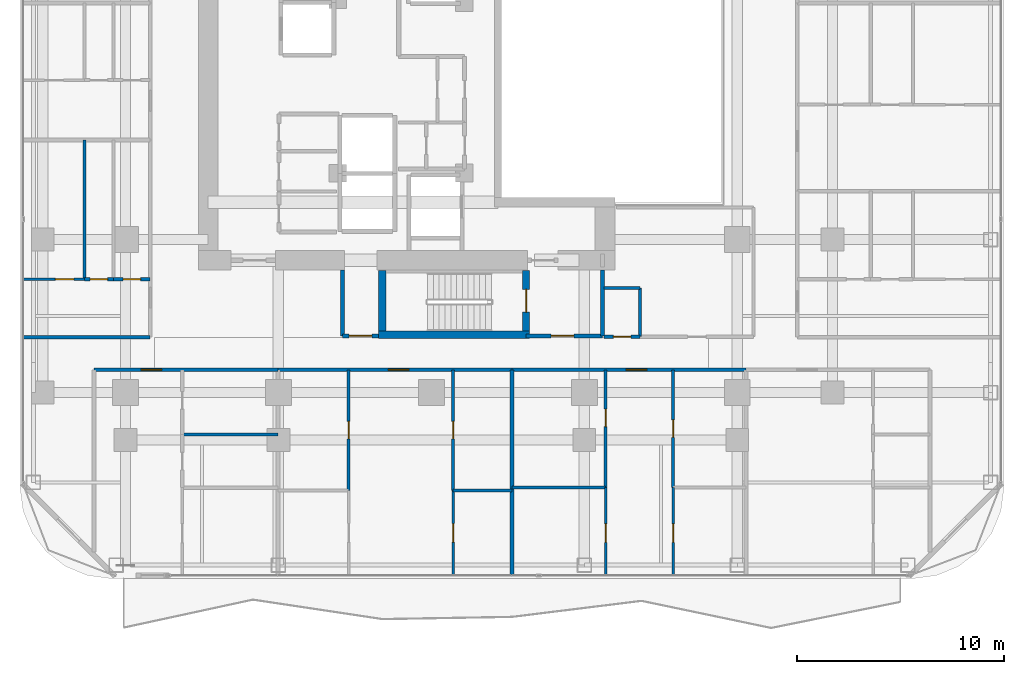
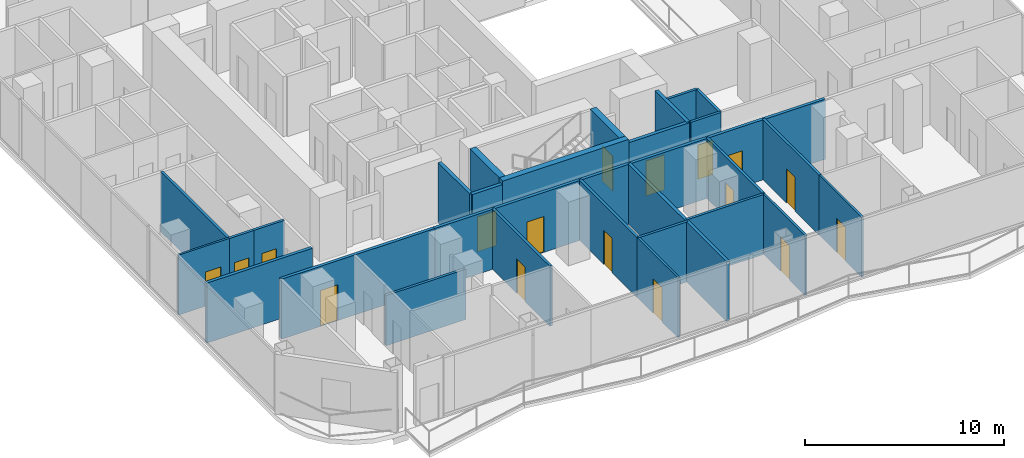
# One storey, part 21 of 29: 29 walls, 17 doors, 17 openings.
"""IFC4 building model written with IfcOpenShell, lengths in metres."""

from ifc_helpers import new_model, si_unit, direction, frame, frame_2d, origin, place, context, subcontext, project, spatial, rectangle, extrude, material, layer, layer_set, type_object, element, fill, save


model = new_model("IFC4")

# Units and contexts
model_context = context("Model", 3, precision=1e-05, world=origin(), true_north=direction((0.0, 1.0)))
body_context = subcontext(model_context, "Body", "Model", "MODEL_VIEW")
ifc_project = project(units=[si_unit("LENGTHUNIT", "METRE"), si_unit("AREAUNIT", "SQUARE_METRE"), si_unit("VOLUMEUNIT", "CUBIC_METRE"), si_unit("PLANEANGLEUNIT", "RADIAN"), si_unit("MASSUNIT", "GRAM", prefix="KILO")], contexts=[model_context])

# Site, building, storey
site_placement = place(None, origin())
site = spatial("IfcSite", under=ifc_project, at=site_placement, CompositionType="ELEMENT")
building_placement = place(site_placement, origin())
building = spatial("IfcBuilding", under=site, at=building_placement, Name="Khorvyn Point Tower", CompositionType="ELEMENT")
storey_placement = place(building_placement, frame((0.0, 0.0, 136.800048828125)))
storey = spatial("IfcBuildingStorey", under=building, at=storey_placement, Name="L34", CompositionType="ELEMENT", Elevation=136.800048828125)

# Wall, opening, door
ifc_material_1 = material(Name="Double acoustic gypsum on twin steel stud", Category="steel")
ifc_layer_1 = layer(ifc_material_1, 0.179931640625)
ifc_layer_set_1 = layer_set([ifc_layer_1], Name="Acoustic Double-Stud Apartment Demising Wall 180")
wall_type_1 = type_object("IfcWallType", Name="Acoustic Double-Stud Apartment Demising Wall 180", PredefinedType="PARTITIONING", material=ifc_layer_set_1)
wall_1_placement = place(storey_placement, frame((-16.320068359375, -13.699951171875, 0.0), z_axis=(0.0, 0.0, 1.0), x_axis=(1.0, 0.0, 0.0)))
wall_1 = element("IfcWall", 1, at=wall_1_placement, inside=storey, type_object=wall_type_1, Name="Wall", PredefinedType="PARTITIONING", context=body_context, shape_type="SweptSolid", body=[
    extrude(rectangle(XDim=8.89697265625, YDim=0.179931640625, at=frame_2d((4.448486328125, 0.0))), origin(), (0.0, 0.0, 1.0), 3.679931640625),
])
opening_1_placement = place(wall_1_placement, frame((2.2744140625, 0.0, 0.0)))
opening_1 = element("IfcOpeningElement", 2, at=opening_1_placement, cuts=wall_1, Name="Opening ID-AP60", PredefinedType="OPENING", context=body_context, shape_type="SweptSolid", body=[
    extrude(rectangle(XDim=1.0, YDim=2.199951171875, at=frame_2d((0.5, 1.10009765625))), frame((0.0, 0.099853515625, 0.0), z_axis=(0.0, -1.0, 0.0), x_axis=(1.0, 0.0, 0.0)), (0.0, 0.0, 1.0), 0.199951171875),
])
ifc_material_2 = material(Name="Engineered hardwood fire-rated leaf", Category="wood")
door_type_1 = type_object("IfcDoorType", Name="Acoustic Solid-Core Timber Apartment Entrance Door 1000x2200", OperationType="NOTDEFINED", PredefinedType="DOOR", material=ifc_material_2)
door_1_placement = place(opening_1_placement, origin())
door_1 = element("IfcDoor", 3, at=door_1_placement, inside=storey, type_object=door_type_1, Name="Door", OperationType="SINGLE_SWING_LEFT", OverallHeight=2.199951171875, OverallWidth=1.0, PredefinedType="DOOR", context=body_context, shape_type="SweptSolid", body=[
    extrude(rectangle(XDim=1.0, YDim=2.199951171875, at=frame_2d((0.5, 1.10009765625))), frame((0.0, 0.02490234375, 0.0), z_axis=(0.0, -1.0, 0.0), x_axis=(1.0, 0.0, 0.0)), (0.0, 0.0, 1.0), 0.050048828125),
])
fill(opening_1, door_1)

wall_2_placement = place(storey_placement, frame((-7.423095703125, -13.699951171875, 0.0), z_axis=(0.0, 0.0, 1.0), x_axis=(1.0, 0.0, 0.0)))
wall_2 = element("IfcWall", 4, at=wall_2_placement, inside=storey, type_object=wall_type_1, Name="Wall", PredefinedType="PARTITIONING", context=body_context, shape_type="SweptSolid", body=[
    extrude(rectangle(XDim=11.322998046875, YDim=0.179931640625, at=frame_2d((5.66162109375, 0.0))), origin(), (0.0, 0.0, 1.0), 3.679931640625),
])
opening_2_placement = place(wall_2_placement, frame((5.340087890625, 0.0, 0.0)))
opening_2 = element("IfcOpeningElement", 5, at=opening_2_placement, cuts=wall_2, Name="Opening ID-AP60", PredefinedType="OPENING", context=body_context, shape_type="SweptSolid", body=[
    extrude(rectangle(XDim=1.0, YDim=2.199951171875, at=frame_2d((0.5, 1.10009765625))), frame((0.0, 0.099853515625, 0.0), z_axis=(0.0, -1.0, 0.0), x_axis=(1.0, 0.0, 0.0)), (0.0, 0.0, 1.0), 0.199951171875),
])
door_2_placement = place(opening_2_placement, origin())
door_2 = element("IfcDoor", 6, at=door_2_placement, inside=storey, type_object=door_type_1, Name="Door", OperationType="SINGLE_SWING_LEFT", OverallHeight=2.199951171875, OverallWidth=1.0, PredefinedType="DOOR", context=body_context, shape_type="SweptSolid", body=[
    extrude(rectangle(XDim=1.0, YDim=2.199951171875, at=frame_2d((0.5, 1.10009765625))), frame((0.0, 0.02490234375, 0.0), z_axis=(0.0, -1.0, 0.0), x_axis=(1.0, 0.0, 0.0)), (0.0, 0.0, 1.0), 0.050048828125),
])
fill(opening_2, door_2)

wall_3_placement = place(storey_placement, frame((3.89990234375, -13.699951171875, 0.0), z_axis=(0.0, 0.0, 1.0), x_axis=(1.0, 0.0, 0.0)))
wall_3 = element("IfcWall", 7, at=wall_3_placement, inside=storey, type_object=wall_type_1, Name="Wall", PredefinedType="PARTITIONING", context=body_context, shape_type="SweptSolid", body=[
    extrude(rectangle(XDim=11.322998046875, YDim=0.179931640625, at=frame_2d((5.66162109375, 0.0))), origin(), (0.0, 0.0, 1.0), 3.679931640625),
])
opening_3_placement = place(wall_3_placement, frame((5.518798828125, 0.0, 0.0)))
opening_3 = element("IfcOpeningElement", 8, at=opening_3_placement, cuts=wall_3, Name="Opening ID-AP60", PredefinedType="OPENING", context=body_context, shape_type="SweptSolid", body=[
    extrude(rectangle(XDim=1.0, YDim=2.199951171875, at=frame_2d((0.5, 1.10009765625))), frame((0.0, 0.099853515625, 0.0), z_axis=(0.0, -1.0, 0.0), x_axis=(1.0, 0.0, 0.0)), (0.0, 0.0, 1.0), 0.199951171875),
])
door_3_placement = place(opening_3_placement, origin())
door_3 = element("IfcDoor", 9, at=door_3_placement, inside=storey, type_object=door_type_1, Name="Door", OperationType="SINGLE_SWING_RIGHT", OverallHeight=2.199951171875, OverallWidth=1.0, PredefinedType="DOOR", context=body_context, shape_type="SweptSolid", body=[
    extrude(rectangle(XDim=1.0, YDim=2.199951171875, at=frame_2d((0.5, 1.10009765625))), frame((0.0, 0.02490234375, 0.0), z_axis=(0.0, -1.0, 0.0), x_axis=(1.0, 0.0, 0.0)), (0.0, 0.0, 1.0), 0.050048828125),
])
fill(opening_3, door_3)

# Walls
wall_4_placement = place(storey_placement, frame((3.89990234375, -23.6298828125, 0.0), z_axis=(0.0, 0.0, 1.0), x_axis=(0.0, 1.0, 0.0)))
element("IfcWall", 10, at=wall_4_placement, inside=storey, type_object=wall_type_1, Name="Wall", PredefinedType="PARTITIONING", context=body_context, shape_type="SweptSolid", body=[
    extrude(rectangle(XDim=9.929931640625, YDim=0.179931640625, at=frame_2d((4.96484375, 0.0))), origin(), (0.0, 0.0, 1.0), 3.679931640625),
])
wall_5_placement = place(storey_placement, frame((-19.72998046875, -12.1201171875, 0.0), z_axis=(0.0, 0.0, 1.0), x_axis=(1.0, 0.0, 0.0)))
element("IfcWall", 11, at=wall_5_placement, inside=storey, type_object=wall_type_1, Name="Wall", PredefinedType="PARTITIONING", context=body_context, shape_type="SweptSolid", body=[
    extrude(rectangle(XDim=6.1298828125, YDim=0.179931640625, at=frame_2d((3.06494140625, 0.0))), origin(), (0.0, 0.0, 1.0), 3.679931640625),
])

# Wall, opening, door
ifc_material_3 = material(Name="Concrete C40/50", Category="concrete")
ifc_layer_2 = layer(ifc_material_3, 0.199951171875)
ifc_layer_set_2 = layer_set([ifc_layer_2], Name="Concrete C40/50 Fire-Lobby Compartment Wall 200")
wall_type_2 = type_object("IfcWallType", Name="Concrete C40/50 Fire-Lobby Compartment Wall 200", PredefinedType="SOLIDWALL", material=ifc_layer_set_2)
wall_6_placement = place(storey_placement, frame((4.580078125, -12.06005859375, 0.0), z_axis=(0.0, 0.0, 1.0), x_axis=(1.0, 0.0, 0.0)))
wall_6 = element("IfcWall", 12, at=wall_6_placement, inside=storey, type_object=wall_type_2, Name="Wall", PredefinedType="SOLIDWALL", context=body_context, shape_type="SweptSolid", body=[
    extrude(rectangle(XDim=3.699951171875, YDim=0.199951171875, at=frame_2d((1.85009765625, 0.0))), origin(), (0.0, 0.0, 1.0), 3.679931640625),
])
opening_4_placement = place(wall_6_placement, frame((1.21240234375, 0.0, 0.0)))
opening_4 = element("IfcOpeningElement", 13, at=opening_4_placement, cuts=wall_6, Name="Opening ID-FL90", PredefinedType="OPENING", context=body_context, shape_type="SweptSolid", body=[
    extrude(rectangle(XDim=1.10009765625, YDim=2.14990234375, at=frame_2d((0.550048828125, 1.074951171875))), frame((0.0, 0.10986328125, 0.0), z_axis=(0.0, -1.0, 0.0), x_axis=(1.0, 0.0, 0.0)), (0.0, 0.0, 1.0), 0.219970703125),
])
ifc_material_4 = material(Name="Galvanised powder-coated steel", Category="steel")
door_type_2 = type_object("IfcDoorType", Name="Fire-Rated Steel Lobby and Stair Door 1100x2150", OperationType="NOTDEFINED", PredefinedType="DOOR", material=ifc_material_4)
door_4_placement = place(opening_4_placement, origin())
door_4 = element("IfcDoor", 14, at=door_4_placement, inside=storey, type_object=door_type_2, Name="Door", OperationType="SINGLE_SWING_RIGHT", OverallHeight=2.14990234375, OverallWidth=1.10009765625, PredefinedType="DOOR", context=body_context, shape_type="SweptSolid", body=[
    extrude(rectangle(XDim=1.10009765625, YDim=2.14990234375, at=frame_2d((0.550048828125, 1.074951171875))), frame((0.0, 0.02490234375, 0.0), z_axis=(0.0, -1.0, 0.0), x_axis=(1.0, 0.0, 0.0)), (0.0, 0.0, 1.0), 0.050048828125),
])
fill(opening_4, door_4)

wall_7_placement = place(storey_placement, frame((-4.300048828125, -12.06005859375, 0.0), z_axis=(0.0, 0.0, 1.0), x_axis=(1.0, 0.0, 0.0)))
wall_7 = element("IfcWall", 15, at=wall_7_placement, inside=storey, type_object=wall_type_2, Name="Wall", PredefinedType="SOLIDWALL", context=body_context, shape_type="SweptSolid", body=[
    extrude(rectangle(XDim=1.75, YDim=0.199951171875, at=frame_2d((0.875, 0.0))), origin(), (0.0, 0.0, 1.0), 3.679931640625),
])
opening_5_placement = place(wall_7_placement, frame((0.324951171875, 0.0, 0.0)))
opening_5 = element("IfcOpeningElement", 16, at=opening_5_placement, cuts=wall_7, Name="Opening ID-FL90", PredefinedType="OPENING", context=body_context, shape_type="SweptSolid", body=[
    extrude(rectangle(XDim=1.10009765625, YDim=2.14990234375, at=frame_2d((0.550048828125, 1.074951171875))), frame((0.0, 0.10986328125, 0.0), z_axis=(0.0, -1.0, 0.0), x_axis=(1.0, 0.0, 0.0)), (0.0, 0.0, 1.0), 0.219970703125),
])
door_5_placement = place(opening_5_placement, origin())
door_5 = element("IfcDoor", 17, at=door_5_placement, inside=storey, type_object=door_type_2, Name="Door", OperationType="SINGLE_SWING_LEFT", OverallHeight=2.14990234375, OverallWidth=1.10009765625, PredefinedType="DOOR", context=body_context, shape_type="SweptSolid", body=[
    extrude(rectangle(XDim=1.10009765625, YDim=2.14990234375, at=frame_2d((0.550048828125, 1.074951171875))), frame((0.0, 0.02490234375, 0.0), z_axis=(0.0, -1.0, 0.0), x_axis=(1.0, 0.0, 0.0)), (0.0, 0.0, 1.0), 0.050048828125),
])
fill(opening_5, door_5)

# Walls
for number, where, z_axis, x_axis, name in (
    (18, (8.280029296875, -12.06005859375, 0.0), (0.0, 0.0, 1.0), (0.0, 1.0, 0.0), "Wall"),
    (19, (-4.300048828125, -12.06005859375, 0.0), (0.0, 0.0, 1.0), (0.0, 1.0, 0.0), "Wall"),
):
    element("IfcWall", number, at=place(storey_placement, frame(where, z_axis=z_axis, x_axis=x_axis)), inside=storey, type_object=wall_type_2, Name=name, PredefinedType="SOLIDWALL", context=body_context, shape_type="SweptSolid", body=[
        extrude(rectangle(XDim=3.18505859375, YDim=0.199951171875, at=frame_2d((1.592529296875, 0.0))), origin(), (0.0, 0.0, 1.0), 3.679931640625),
    ])
ifc_layer_3 = layer(ifc_material_3, 0.35009765625)
ifc_layer_set_3 = layer_set([ifc_layer_3], Name="Concrete C40/50 Stair Shaft Structural Wall 350")
wall_type_3 = type_object("IfcWallType", Name="Concrete C40/50 Stair Shaft Structural Wall 350", PredefinedType="SHEAR", material=ifc_layer_set_3)
wall_8_placement = place(storey_placement, frame((-2.554931640625, -12.0, 0.0), z_axis=(0.0, 0.0, 1.0), x_axis=(1.0, 0.0, 0.0)))
element("IfcWall", 20, at=wall_8_placement, inside=storey, type_object=wall_type_3, Name="L34 ST-01 South Shaft Wall", PredefinedType="SHEAR", context=body_context, shape_type="SweptSolid", body=[
    extrude(rectangle(XDim=7.309814453125, YDim=0.35009765625, at=frame_2d((3.65478515625, 0.0))), origin(), (0.0, 0.0, 1.0), 3.89990234375),
])
wall_9_placement = place(storey_placement, frame((-2.3798828125, -11.824951171875, 0.0), z_axis=(0.0, 0.0, 1.0), x_axis=(0.0, 1.0, 0.0)))
element("IfcWall", 21, at=wall_9_placement, inside=storey, type_object=wall_type_3, Name="L34 ST-01 West Shaft Wall", PredefinedType="SHEAR", context=body_context, shape_type="SweptSolid", body=[
    extrude(rectangle(XDim=2.925048828125, YDim=0.35009765625, at=frame_2d((1.46240234375, 0.0))), origin(), (0.0, 0.0, 1.0), 3.89990234375),
])

# Wall, opening, door
wall_10_placement = place(storey_placement, frame((4.580078125, -8.89990234375, 0.0), z_axis=(0.0, 0.0, 1.0), x_axis=(0.0, -1.0, 0.0)))
wall_10 = element("IfcWall", 22, at=wall_10_placement, inside=storey, type_object=wall_type_3, Name="L34 ST-01 East Landing Door Wall", PredefinedType="SHEAR", context=body_context, shape_type="SweptSolid", body=[
    extrude(rectangle(XDim=2.925048828125, YDim=0.35009765625, at=frame_2d((1.46240234375, 0.0))), origin(), (0.0, 0.0, 1.0), 3.89990234375),
])
opening_6_placement = place(wall_10_placement, frame((0.91259765625, 0.0, 0.0)))
opening_6 = element("IfcOpeningElement", 23, at=opening_6_placement, cuts=wall_10, Name="Opening ID-FL90", PredefinedType="OPENING", context=body_context, shape_type="SweptSolid", body=[
    extrude(rectangle(XDim=1.10009765625, YDim=2.14990234375, at=frame_2d((0.550048828125, 1.074951171875))), frame((0.0, 0.18505859375, 0.0), z_axis=(0.0, -1.0, 0.0), x_axis=(1.0, 0.0, 0.0)), (0.0, 0.0, 1.0), 0.3701171875),
])
door_6_placement = place(opening_6_placement, origin())
door_6 = element("IfcDoor", 24, at=door_6_placement, inside=storey, type_object=door_type_2, Name="L34 ST-01 Smokeproof Landing Door", OperationType="SINGLE_SWING_RIGHT", OverallHeight=2.14990234375, OverallWidth=1.10009765625, PredefinedType="DOOR", context=body_context, shape_type="SweptSolid", body=[
    extrude(rectangle(XDim=1.10009765625, YDim=2.14990234375, at=frame_2d((0.550048828125, 1.074951171875))), frame((0.0, 0.02490234375, 0.0), z_axis=(0.0, -1.0, 0.0), x_axis=(1.0, 0.0, 0.0)), (0.0, 0.0, 1.0), 0.050048828125),
])
fill(opening_6, door_6)

ifc_material_5 = material(Name="Gypsum plasterboard on steel stud", Category="steel")
ifc_layer_4 = layer(ifc_material_5, 0.1201171875)
ifc_layer_set_4 = layer_set([ifc_layer_4], Name="Gypsum Acoustic Stud Room Partition Wall 120")
wall_type_4 = type_object("IfcWallType", Name="Gypsum Acoustic Stud Room Partition Wall 120", PredefinedType="PARTITIONING", material=ifc_layer_set_4)
wall_11_placement = place(storey_placement, frame((1.050048828125, -23.6298828125, 0.0), z_axis=(0.0, 0.0, 1.0), x_axis=(0.0, 1.0, 0.0)))
wall_11 = element("IfcWall", 25, at=wall_11_placement, inside=storey, type_object=wall_type_4, Name="Wall", PredefinedType="PARTITIONING", context=body_context, shape_type="SweptSolid", body=[
    extrude(rectangle(XDim=4.0849609375, YDim=0.1201171875, at=frame_2d((2.04248046875, 0.0))), origin(), (0.0, 0.0, 1.0), 3.679931640625),
])
opening_7_placement = place(wall_11_placement, frame((1.592529296875, 0.0, 0.0)))
opening_7 = element("IfcOpeningElement", 26, at=opening_7_placement, cuts=wall_11, Name="Opening ID-RM90", PredefinedType="OPENING", context=body_context, shape_type="SweptSolid", body=[
    extrude(rectangle(XDim=0.89990234375, YDim=2.10009765625, at=frame_2d((0.449951171875, 1.050048828125))), frame((0.0, 0.070068359375, 0.0), z_axis=(0.0, -1.0, 0.0), x_axis=(1.0, 0.0, 0.0)), (0.0, 0.0, 1.0), 0.14013671875),
])
ifc_material_6 = material(Name="Engineered oak veneer timber", Category="wood")
door_type_3 = type_object("IfcDoorType", Name="Flush Engineered Timber Room Door 900x2100", OperationType="NOTDEFINED", PredefinedType="DOOR", material=ifc_material_6)
door_7_placement = place(opening_7_placement, origin())
door_7 = element("IfcDoor", 27, at=door_7_placement, inside=storey, type_object=door_type_3, Name="Door", OperationType="SINGLE_SWING_LEFT", OverallHeight=2.10009765625, OverallWidth=0.89990234375, PredefinedType="DOOR", context=body_context, shape_type="SweptSolid", body=[
    extrude(rectangle(XDim=0.89990234375, YDim=2.10009765625, at=frame_2d((0.449951171875, 1.050048828125))), frame((0.0, 0.02490234375, 0.0), z_axis=(0.0, -1.0, 0.0), x_axis=(1.0, 0.0, 0.0)), (0.0, 0.0, 1.0), 0.050048828125),
])
fill(opening_7, door_7)

wall_12_placement = place(storey_placement, frame((8.428955078125, -23.6298828125, 0.0), z_axis=(0.0, 0.0, 1.0), x_axis=(0.0, 1.0, 0.0)))
wall_12 = element("IfcWall", 28, at=wall_12_placement, inside=storey, type_object=wall_type_4, Name="Wall", PredefinedType="PARTITIONING", context=body_context, shape_type="SweptSolid", body=[
    extrude(rectangle(XDim=4.239990234375, YDim=0.1201171875, at=frame_2d((2.1201171875, 0.0))), origin(), (0.0, 0.0, 1.0), 3.679931640625),
])
opening_8_placement = place(wall_12_placement, frame((1.581298828125, 0.0, 0.0)))
opening_8 = element("IfcOpeningElement", 29, at=opening_8_placement, cuts=wall_12, Name="Opening ID-RM90", PredefinedType="OPENING", context=body_context, shape_type="SweptSolid", body=[
    extrude(rectangle(XDim=0.89990234375, YDim=2.10009765625, at=frame_2d((0.449951171875, 1.050048828125))), frame((0.0, 0.070068359375, 0.0), z_axis=(0.0, -1.0, 0.0), x_axis=(1.0, 0.0, 0.0)), (0.0, 0.0, 1.0), 0.14013671875),
])
door_8_placement = place(opening_8_placement, origin())
door_8 = element("IfcDoor", 30, at=door_8_placement, inside=storey, type_object=door_type_3, Name="Door", OperationType="SINGLE_SWING_RIGHT", OverallHeight=2.10009765625, OverallWidth=0.89990234375, PredefinedType="DOOR", context=body_context, shape_type="SweptSolid", body=[
    extrude(rectangle(XDim=0.89990234375, YDim=2.10009765625, at=frame_2d((0.449951171875, 1.050048828125))), frame((0.0, 0.02490234375, 0.0), z_axis=(0.0, -1.0, 0.0), x_axis=(1.0, 0.0, 0.0)), (0.0, 0.0, 1.0), 0.050048828125),
])
fill(opening_8, door_8)

wall_13_placement = place(storey_placement, frame((11.68994140625, -23.6298828125, 0.0), z_axis=(0.0, 0.0, 1.0), x_axis=(0.0, 1.0, 0.0)))
wall_13 = element("IfcWall", 31, at=wall_13_placement, inside=storey, type_object=wall_type_4, Name="Wall", PredefinedType="PARTITIONING", context=body_context, shape_type="SweptSolid", body=[
    extrude(rectangle(XDim=4.239990234375, YDim=0.1201171875, at=frame_2d((2.1201171875, 0.0))), origin(), (0.0, 0.0, 1.0), 3.679931640625),
])
opening_9_placement = place(wall_13_placement, frame((1.581298828125, 0.0, 0.0)))
opening_9 = element("IfcOpeningElement", 32, at=opening_9_placement, cuts=wall_13, Name="Opening ID-RM90", PredefinedType="OPENING", context=body_context, shape_type="SweptSolid", body=[
    extrude(rectangle(XDim=0.89990234375, YDim=2.10009765625, at=frame_2d((0.449951171875, 1.050048828125))), frame((0.0, 0.070068359375, 0.0), z_axis=(0.0, -1.0, 0.0), x_axis=(1.0, 0.0, 0.0)), (0.0, 0.0, 1.0), 0.14013671875),
])
door_9_placement = place(opening_9_placement, origin())
door_9 = element("IfcDoor", 33, at=door_9_placement, inside=storey, type_object=door_type_3, Name="Door", OperationType="SINGLE_SWING_RIGHT", OverallHeight=2.10009765625, OverallWidth=0.89990234375, PredefinedType="DOOR", context=body_context, shape_type="SweptSolid", body=[
    extrude(rectangle(XDim=0.89990234375, YDim=2.10009765625, at=frame_2d((0.449951171875, 1.050048828125))), frame((0.0, 0.02490234375, 0.0), z_axis=(0.0, -1.0, 0.0), x_axis=(1.0, 0.0, 0.0)), (0.0, 0.0, 1.0), 0.050048828125),
])
fill(opening_9, door_9)

wall_14_placement = place(storey_placement, frame((-19.72998046875, -9.320068359375, 0.0), z_axis=(0.0, 0.0, 1.0), x_axis=(1.0, 0.0, 0.0)))
wall_14 = element("IfcWall", 34, at=wall_14_placement, inside=storey, type_object=wall_type_4, Name="Wall", PredefinedType="PARTITIONING", context=body_context, shape_type="SweptSolid", body=[
    extrude(rectangle(XDim=2.946044921875, YDim=0.1201171875, at=frame_2d((1.47314453125, 0.0))), origin(), (0.0, 0.0, 1.0), 3.679931640625),
])
opening_10_placement = place(wall_14_placement, frame((1.540771484375, 0.0, 0.0)))
opening_10 = element("IfcOpeningElement", 35, at=opening_10_placement, cuts=wall_14, Name="Opening ID-RM90", PredefinedType="OPENING", context=body_context, shape_type="SweptSolid", body=[
    extrude(rectangle(XDim=0.89990234375, YDim=2.10009765625, at=frame_2d((0.449951171875, 1.050048828125))), frame((0.0, 0.070068359375, 0.0), z_axis=(0.0, -1.0, 0.0), x_axis=(1.0, 0.0, 0.0)), (0.0, 0.0, 1.0), 0.14013671875),
])
door_10_placement = place(opening_10_placement, origin())
door_10 = element("IfcDoor", 36, at=door_10_placement, inside=storey, type_object=door_type_3, Name="Door", OperationType="SINGLE_SWING_RIGHT", OverallHeight=2.10009765625, OverallWidth=0.89990234375, PredefinedType="DOOR", context=body_context, shape_type="SweptSolid", body=[
    extrude(rectangle(XDim=0.89990234375, YDim=2.10009765625, at=frame_2d((0.449951171875, 1.050048828125))), frame((0.0, 0.02490234375, 0.0), z_axis=(0.0, -1.0, 0.0), x_axis=(1.0, 0.0, 0.0)), (0.0, 0.0, 1.0), 0.050048828125),
])
fill(opening_10, door_10)

ifc_material_7 = material(Name="Moisture-resistant gypsum and cement board", Category="gypsum")
ifc_layer_5 = layer(ifc_material_7, 0.14990234375)
ifc_layer_set_5 = layer_set([ifc_layer_5], Name="Moisture-Resistant Wet-Room Partition Wall 150")
wall_type_5 = type_object("IfcWallType", Name="Moisture-Resistant Wet-Room Partition Wall 150", PredefinedType="PARTITIONING", material=ifc_layer_set_5)
wall_15_placement = place(storey_placement, frame((8.360107421875, -12.10009765625, 0.0), z_axis=(0.0, 0.0, 1.0), x_axis=(1.0, 0.0, 0.0)))
wall_15 = element("IfcWall", 37, at=wall_15_placement, inside=storey, type_object=wall_type_5, Name="Wall", PredefinedType="PARTITIONING", context=body_context, shape_type="SweptSolid", body=[
    extrude(rectangle(XDim=1.739990234375, YDim=0.14990234375, at=frame_2d((0.8701171875, 0.0))), origin(), (0.0, 0.0, 1.0), 3.679931640625),
])
opening_11_placement = place(wall_15_placement, frame((0.445068359375, 0.0, 0.0)))
opening_11 = element("IfcOpeningElement", 38, at=opening_11_placement, cuts=wall_15, Name="Opening ID-WC85", PredefinedType="OPENING", context=body_context, shape_type="SweptSolid", body=[
    extrude(rectangle(XDim=0.85009765625, YDim=2.10009765625, at=frame_2d((0.425048828125, 1.050048828125))), frame((0.0, 0.0849609375, 0.0), z_axis=(0.0, -1.0, 0.0), x_axis=(1.0, 0.0, 0.0)), (0.0, 0.0, 1.0), 0.169921875),
])
ifc_material_8 = material(Name="High-pressure laminate on moisture-resistant core", Category="wood")
door_type_4 = type_object("IfcDoorType", Name="Moisture-Resistant Accessible Washroom Door 850x2100", OperationType="NOTDEFINED", PredefinedType="DOOR", material=ifc_material_8)
door_11_placement = place(opening_11_placement, origin())
door_11 = element("IfcDoor", 39, at=door_11_placement, inside=storey, type_object=door_type_4, Name="Door", OperationType="SINGLE_SWING_LEFT", OverallHeight=2.10009765625, OverallWidth=0.85009765625, PredefinedType="DOOR", context=body_context, shape_type="SweptSolid", body=[
    extrude(rectangle(XDim=0.85009765625, YDim=2.10009765625, at=frame_2d((0.425048828125, 1.050048828125))), frame((0.0, 0.02490234375, 0.0), z_axis=(0.0, -1.0, 0.0), x_axis=(1.0, 0.0, 0.0)), (0.0, 0.0, 1.0), 0.050048828125),
])
fill(opening_11, door_11)

wall_16_placement = place(storey_placement, frame((-4.0009765625, -19.544921875, 0.0), z_axis=(0.0, 0.0, 1.0), x_axis=(0.0, 1.0, 0.0)))
wall_16 = element("IfcWall", 40, at=wall_16_placement, inside=storey, type_object=wall_type_5, Name="Wall", PredefinedType="PARTITIONING", context=body_context, shape_type="SweptSolid", body=[
    extrude(rectangle(XDim=5.844970703125, YDim=0.14990234375, at=frame_2d((2.92236328125, 0.0))), origin(), (0.0, 0.0, 1.0), 3.679931640625),
])
opening_12_placement = place(wall_16_placement, frame((2.49755859375, 0.0, 0.0)))
opening_12 = element("IfcOpeningElement", 41, at=opening_12_placement, cuts=wall_16, Name="Opening ID-WC85", PredefinedType="OPENING", context=body_context, shape_type="SweptSolid", body=[
    extrude(rectangle(XDim=0.85009765625, YDim=2.10009765625, at=frame_2d((0.425048828125, 1.050048828125))), frame((0.0, 0.0849609375, 0.0), z_axis=(0.0, -1.0, 0.0), x_axis=(1.0, 0.0, 0.0)), (0.0, 0.0, 1.0), 0.169921875),
])
door_12_placement = place(opening_12_placement, origin())
door_12 = element("IfcDoor", 42, at=door_12_placement, inside=storey, type_object=door_type_4, Name="Door", OperationType="SINGLE_SWING_RIGHT", OverallHeight=2.10009765625, OverallWidth=0.85009765625, PredefinedType="DOOR", context=body_context, shape_type="SweptSolid", body=[
    extrude(rectangle(XDim=0.85009765625, YDim=2.10009765625, at=frame_2d((0.425048828125, 1.050048828125))), frame((0.0, 0.02490234375, 0.0), z_axis=(0.0, -1.0, 0.0), x_axis=(1.0, 0.0, 0.0)), (0.0, 0.0, 1.0), 0.050048828125),
])
fill(opening_12, door_12)

wall_17_placement = place(storey_placement, frame((1.050048828125, -19.544921875, 0.0), z_axis=(0.0, 0.0, 1.0), x_axis=(0.0, 1.0, 0.0)))
wall_17 = element("IfcWall", 43, at=wall_17_placement, inside=storey, type_object=wall_type_5, Name="Wall", PredefinedType="PARTITIONING", context=body_context, shape_type="SweptSolid", body=[
    extrude(rectangle(XDim=5.844970703125, YDim=0.14990234375, at=frame_2d((2.92236328125, 0.0))), origin(), (0.0, 0.0, 1.0), 3.679931640625),
])
opening_13_placement = place(wall_17_placement, frame((2.49755859375, 0.0, 0.0)))
opening_13 = element("IfcOpeningElement", 44, at=opening_13_placement, cuts=wall_17, Name="Opening ID-WC85", PredefinedType="OPENING", context=body_context, shape_type="SweptSolid", body=[
    extrude(rectangle(XDim=0.85009765625, YDim=2.10009765625, at=frame_2d((0.425048828125, 1.050048828125))), frame((0.0, 0.0849609375, 0.0), z_axis=(0.0, -1.0, 0.0), x_axis=(1.0, 0.0, 0.0)), (0.0, 0.0, 1.0), 0.169921875),
])
door_13_placement = place(opening_13_placement, origin())
door_13 = element("IfcDoor", 45, at=door_13_placement, inside=storey, type_object=door_type_4, Name="Door", OperationType="SINGLE_SWING_RIGHT", OverallHeight=2.10009765625, OverallWidth=0.85009765625, PredefinedType="DOOR", context=body_context, shape_type="SweptSolid", body=[
    extrude(rectangle(XDim=0.85009765625, YDim=2.10009765625, at=frame_2d((0.425048828125, 1.050048828125))), frame((0.0, 0.02490234375, 0.0), z_axis=(0.0, -1.0, 0.0), x_axis=(1.0, 0.0, 0.0)), (0.0, 0.0, 1.0), 0.050048828125),
])
fill(opening_13, door_13)

wall_18_placement = place(storey_placement, frame((8.428955078125, -19.389892578125, 0.0), z_axis=(0.0, 0.0, 1.0), x_axis=(0.0, 1.0, 0.0)))
wall_18 = element("IfcWall", 46, at=wall_18_placement, inside=storey, type_object=wall_type_5, Name="Wall", PredefinedType="PARTITIONING", context=body_context, shape_type="SweptSolid", body=[
    extrude(rectangle(XDim=5.68994140625, YDim=0.14990234375, at=frame_2d((2.844970703125, 0.0))), origin(), (0.0, 0.0, 1.0), 3.679931640625),
])
opening_14_placement = place(wall_18_placement, frame((2.94140625, 0.0, 0.0)))
opening_14 = element("IfcOpeningElement", 47, at=opening_14_placement, cuts=wall_18, Name="Opening ID-WC85", PredefinedType="OPENING", context=body_context, shape_type="SweptSolid", body=[
    extrude(rectangle(XDim=0.85009765625, YDim=2.10009765625, at=frame_2d((0.425048828125, 1.050048828125))), frame((0.0, 0.0849609375, 0.0), z_axis=(0.0, -1.0, 0.0), x_axis=(1.0, 0.0, 0.0)), (0.0, 0.0, 1.0), 0.169921875),
])
door_14_placement = place(opening_14_placement, origin())
door_14 = element("IfcDoor", 48, at=door_14_placement, inside=storey, type_object=door_type_4, Name="Door", OperationType="SINGLE_SWING_LEFT", OverallHeight=2.10009765625, OverallWidth=0.85009765625, PredefinedType="DOOR", context=body_context, shape_type="SweptSolid", body=[
    extrude(rectangle(XDim=0.85009765625, YDim=2.10009765625, at=frame_2d((0.425048828125, 1.050048828125))), frame((0.0, 0.02490234375, 0.0), z_axis=(0.0, -1.0, 0.0), x_axis=(1.0, 0.0, 0.0)), (0.0, 0.0, 1.0), 0.050048828125),
])
fill(opening_14, door_14)

wall_19_placement = place(storey_placement, frame((11.68994140625, -19.389892578125, 0.0), z_axis=(0.0, 0.0, 1.0), x_axis=(0.0, 1.0, 0.0)))
wall_19 = element("IfcWall", 49, at=wall_19_placement, inside=storey, type_object=wall_type_5, Name="Wall", PredefinedType="PARTITIONING", context=body_context, shape_type="SweptSolid", body=[
    extrude(rectangle(XDim=5.68994140625, YDim=0.14990234375, at=frame_2d((2.844970703125, 0.0))), origin(), (0.0, 0.0, 1.0), 3.679931640625),
])
opening_15_placement = place(wall_19_placement, frame((2.419921875, 0.0, 0.0)))
opening_15 = element("IfcOpeningElement", 50, at=opening_15_placement, cuts=wall_19, Name="Opening ID-WC85", PredefinedType="OPENING", context=body_context, shape_type="SweptSolid", body=[
    extrude(rectangle(XDim=0.85009765625, YDim=2.10009765625, at=frame_2d((0.425048828125, 1.050048828125))), frame((0.0, 0.0849609375, 0.0), z_axis=(0.0, -1.0, 0.0), x_axis=(1.0, 0.0, 0.0)), (0.0, 0.0, 1.0), 0.169921875),
])
door_15_placement = place(opening_15_placement, origin())
door_15 = element("IfcDoor", 51, at=door_15_placement, inside=storey, type_object=door_type_4, Name="Door", OperationType="SINGLE_SWING_LEFT", OverallHeight=2.10009765625, OverallWidth=0.85009765625, PredefinedType="DOOR", context=body_context, shape_type="SweptSolid", body=[
    extrude(rectangle(XDim=0.85009765625, YDim=2.10009765625, at=frame_2d((0.425048828125, 1.050048828125))), frame((0.0, 0.02490234375, 0.0), z_axis=(0.0, -1.0, 0.0), x_axis=(1.0, 0.0, 0.0)), (0.0, 0.0, 1.0), 0.050048828125),
])
fill(opening_15, door_15)

wall_20_placement = place(storey_placement, frame((-16.783935546875, -9.320068359375, 0.0), z_axis=(0.0, 0.0, 1.0), x_axis=(1.0, 0.0, 0.0)))
wall_20 = element("IfcWall", 52, at=wall_20_placement, inside=storey, type_object=wall_type_5, Name="Wall", PredefinedType="PARTITIONING", context=body_context, shape_type="SweptSolid", body=[
    extrude(rectangle(XDim=1.39990234375, YDim=0.14990234375, at=frame_2d((0.699951171875, 0.0))), origin(), (0.0, 0.0, 1.0), 3.679931640625),
])
opening_16_placement = place(wall_20_placement, frame((0.27490234375, 0.0, 0.0)))
opening_16 = element("IfcOpeningElement", 53, at=opening_16_placement, cuts=wall_20, Name="Opening ID-WC85", PredefinedType="OPENING", context=body_context, shape_type="SweptSolid", body=[
    extrude(rectangle(XDim=0.85009765625, YDim=2.10009765625, at=frame_2d((0.425048828125, 1.050048828125))), frame((0.0, 0.0849609375, 0.0), z_axis=(0.0, -1.0, 0.0), x_axis=(1.0, 0.0, 0.0)), (0.0, 0.0, 1.0), 0.169921875),
])
door_16_placement = place(opening_16_placement, origin())
door_16 = element("IfcDoor", 54, at=door_16_placement, inside=storey, type_object=door_type_4, Name="Door", OperationType="SINGLE_SWING_RIGHT", OverallHeight=2.10009765625, OverallWidth=0.85009765625, PredefinedType="DOOR", context=body_context, shape_type="SweptSolid", body=[
    extrude(rectangle(XDim=0.85009765625, YDim=2.10009765625, at=frame_2d((0.425048828125, 1.050048828125))), frame((0.0, 0.02490234375, 0.0), z_axis=(0.0, -1.0, 0.0), x_axis=(1.0, 0.0, 0.0)), (0.0, 0.0, 1.0), 0.050048828125),
])
fill(opening_16, door_16)

wall_21_placement = place(storey_placement, frame((-15.384033203125, -9.320068359375, 0.0), z_axis=(0.0, 0.0, 1.0), x_axis=(1.0, 0.0, 0.0)))
wall_21 = element("IfcWall", 55, at=wall_21_placement, inside=storey, type_object=wall_type_5, Name="Wall", PredefinedType="PARTITIONING", context=body_context, shape_type="SweptSolid", body=[
    extrude(rectangle(XDim=1.783935546875, YDim=0.14990234375, at=frame_2d((0.89208984375, 0.0))), origin(), (0.0, 0.0, 1.0), 3.679931640625),
])
opening_17_placement = place(wall_21_placement, frame((0.467041015625, 0.0, 0.0)))
opening_17 = element("IfcOpeningElement", 56, at=opening_17_placement, cuts=wall_21, Name="Opening ID-WC85", PredefinedType="OPENING", context=body_context, shape_type="SweptSolid", body=[
    extrude(rectangle(XDim=0.85009765625, YDim=2.10009765625, at=frame_2d((0.425048828125, 1.050048828125))), frame((0.0, 0.0849609375, 0.0), z_axis=(0.0, -1.0, 0.0), x_axis=(1.0, 0.0, 0.0)), (0.0, 0.0, 1.0), 0.169921875),
])
door_17_placement = place(opening_17_placement, origin())
door_17 = element("IfcDoor", 57, at=door_17_placement, inside=storey, type_object=door_type_4, Name="Door", OperationType="SINGLE_SWING_LEFT", OverallHeight=2.10009765625, OverallWidth=0.85009765625, PredefinedType="DOOR", context=body_context, shape_type="SweptSolid", body=[
    extrude(rectangle(XDim=0.85009765625, YDim=2.10009765625, at=frame_2d((0.425048828125, 1.050048828125))), frame((0.0, 0.02490234375, 0.0), z_axis=(0.0, -1.0, 0.0), x_axis=(1.0, 0.0, 0.0)), (0.0, 0.0, 1.0), 0.050048828125),
])
fill(opening_17, door_17)

# Walls
wall_22_placement = place(storey_placement, frame((8.360107421875, -9.75, 0.0), z_axis=(0.0, 0.0, 1.0), x_axis=(1.0, 0.0, 0.0)))
element("IfcWall", 58, at=wall_22_placement, inside=storey, type_object=wall_type_5, Name="Wall", PredefinedType="PARTITIONING", context=body_context, shape_type="SweptSolid", body=[
    extrude(rectangle(XDim=1.739990234375, YDim=0.14990234375, at=frame_2d((0.8701171875, 0.0))), origin(), (0.0, 0.0, 1.0), 3.679931640625),
])
wall_23_placement = place(storey_placement, frame((10.10009765625, -12.10009765625, 0.0), z_axis=(0.0, 0.0, 1.0), x_axis=(0.0, 1.0, 0.0)))
element("IfcWall", 59, at=wall_23_placement, inside=storey, type_object=wall_type_5, Name="Wall", PredefinedType="PARTITIONING", context=body_context, shape_type="SweptSolid", body=[
    extrude(rectangle(XDim=2.35009765625, YDim=0.14990234375, at=frame_2d((1.175048828125, 0.0))), origin(), (0.0, 0.0, 1.0), 3.679931640625),
])
wall_24_placement = place(storey_placement, frame((-12.049072265625, -16.837890625, 0.0), z_axis=(0.0, 0.0, 1.0), x_axis=(1.0, 0.0, 0.0)))
element("IfcWall", 60, at=wall_24_placement, inside=storey, type_object=wall_type_5, Name="Wall", PredefinedType="PARTITIONING", context=body_context, shape_type="SweptSolid", body=[
    extrude(rectangle(XDim=4.6259765625, YDim=0.14990234375, at=frame_2d((2.31298828125, 0.0))), origin(), (0.0, 0.0, 1.0), 3.08203125),
])
wall_25_placement = place(storey_placement, frame((1.050048828125, -19.544921875, 0.0), z_axis=(0.0, 0.0, 1.0), x_axis=(1.0, 0.0, 0.0)))
element("IfcWall", 61, at=wall_25_placement, inside=storey, type_object=wall_type_5, Name="Wall", PredefinedType="PARTITIONING", context=body_context, shape_type="SweptSolid", body=[
    extrude(rectangle(XDim=2.849853515625, YDim=0.14990234375, at=frame_2d((1.4248046875, 0.0))), origin(), (0.0, 0.0, 1.0), 3.679931640625),
])
wall_26_placement = place(storey_placement, frame((3.89990234375, -19.389892578125, 0.0), z_axis=(0.0, 0.0, 1.0), x_axis=(1.0, 0.0, 0.0)))
element("IfcWall", 62, at=wall_26_placement, inside=storey, type_object=wall_type_5, Name="Wall", PredefinedType="PARTITIONING", context=body_context, shape_type="SweptSolid", body=[
    extrude(rectangle(XDim=4.529052734375, YDim=0.14990234375, at=frame_2d((2.2646484375, 0.0))), origin(), (0.0, 0.0, 1.0), 3.679931640625),
])
wall_27_placement = place(storey_placement, frame((-16.783935546875, -9.320068359375, 0.0), z_axis=(0.0, 0.0, 1.0), x_axis=(0.0, 1.0, 0.0)))
element("IfcWall", 63, at=wall_27_placement, inside=storey, type_object=wall_type_5, Name="Wall", PredefinedType="PARTITIONING", context=body_context, shape_type="SweptSolid", body=[
    extrude(rectangle(XDim=6.734130859375, YDim=0.14990234375, at=frame_2d((3.3671875, 0.0))), origin(), (0.0, 0.0, 1.0), 3.679931640625),
])

save(model, "model.ifc")
